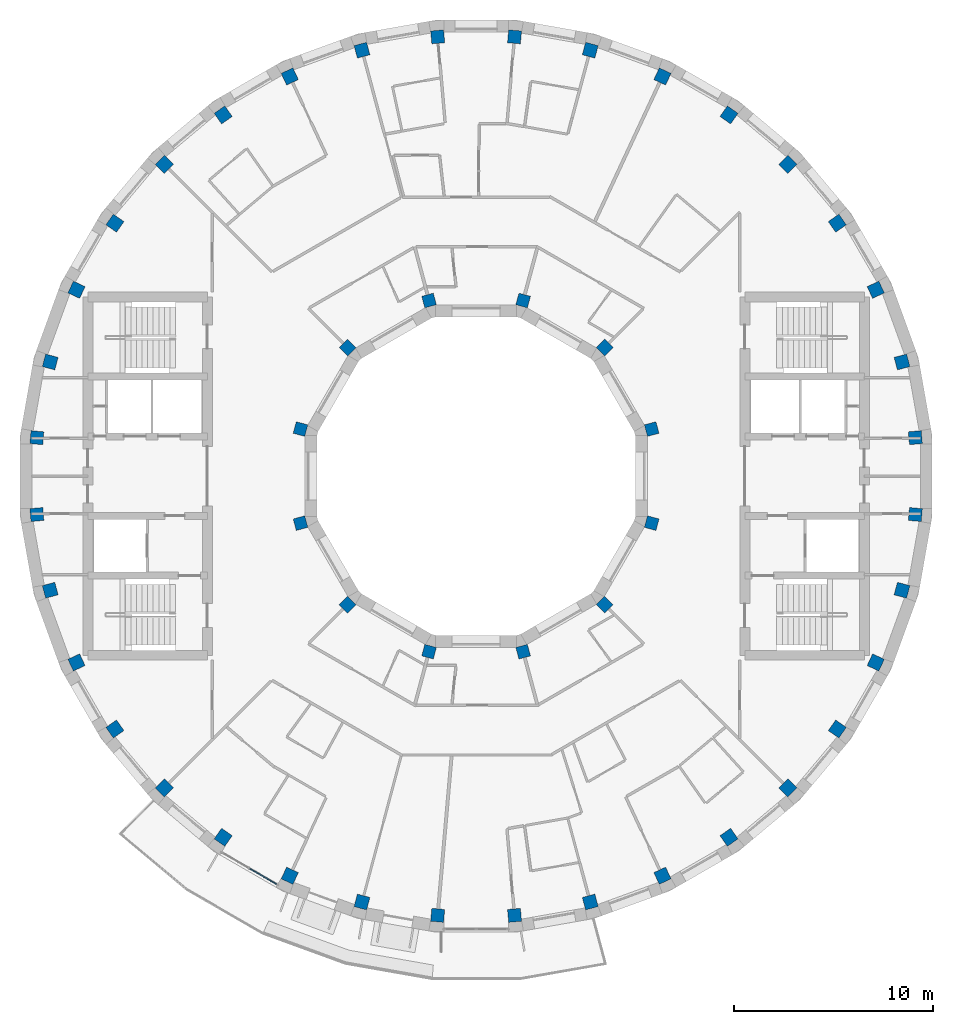
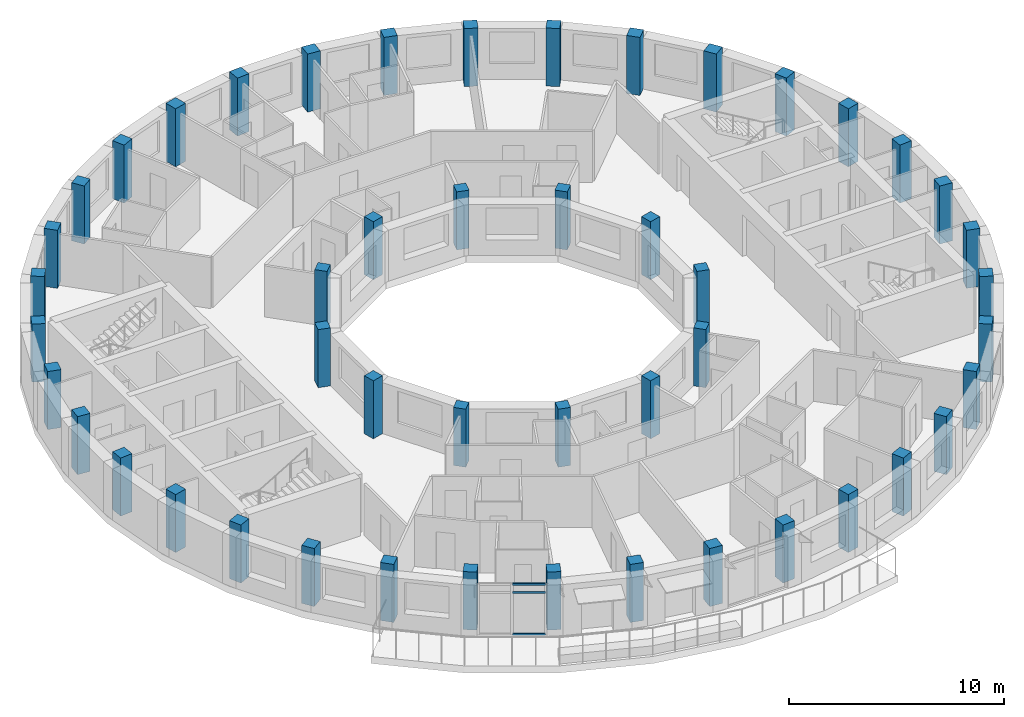
# One storey, part 1 of 12: 48 columns, 3 members, 1 element without a shape of its own.
"""IFC4 building model written with IfcOpenShell, lengths in metres."""

from ifc_helpers import new_model, si_unit, direction, frame, origin, origin_2d, place, context, subcontext, project, spatial, rectangle, extrude, material, layer, layer_set, material_profile, profile_set, type_object, element, aggregate, save


model = new_model("IFC4")

# Units and contexts
model_context = context("Model", 3, precision=1e-05, world=origin(), true_north=direction((0.0, 1.0)))
body_context = subcontext(model_context, "Body", "Model", "MODEL_VIEW")
ifc_project = project(units=[si_unit("LENGTHUNIT", "METRE"), si_unit("AREAUNIT", "SQUARE_METRE"), si_unit("VOLUMEUNIT", "CUBIC_METRE"), si_unit("PLANEANGLEUNIT", "RADIAN"), si_unit("MASSUNIT", "GRAM", prefix="KILO")], contexts=[model_context])

# Site, building, storey
site_placement = place(None, origin())
site = spatial("IfcSite", under=ifc_project, at=site_placement, CompositionType="ELEMENT")
building_placement = place(site_placement, origin())
building = spatial("IfcBuilding", under=site, at=building_placement, Name="Saqina Gate Tower", CompositionType="ELEMENT")
storey_placement = place(building_placement, frame((0.0, 0.0, 272.60009765625)))
storey = spatial("IfcBuildingStorey", under=building, at=storey_placement, Name="L78", CompositionType="ELEMENT", Elevation=272.60009765625)

# Columns
ifc_material_1 = material(Name="Concrete C60/75", Category="concrete")
ifc_material_profile_1 = material_profile(ifc_material_1, rectangle(XDim=0.60009765625, YDim=0.60009765625, at=origin_2d()), Name="RC 600x600")
ifc_profile_set_1 = profile_set([ifc_material_profile_1], Name="Concrete C60/75")
column_type_1 = type_object("IfcColumnType", Name="STR-COL-IN-D", PredefinedType="COLUMN", material=ifc_profile_set_1)
for number, where, z_axis, x_axis, name in (
    (1, (8.821044921875, 2.363525390625, 0.0), (0.0, 0.0, 1.0), (0.965925826289, 0.258819045103, 0.0), "L78-ICL01"),
    (2, (6.45751953125, 6.45751953125, 0.0), (0.0, 0.0, 1.0), (0.707106781187, 0.707106781187, 0.0), "L78-ICL02"),
    (3, (2.363525390625, 8.821044921875, 0.0), (0.0, 0.0, 1.0), (0.258819045103, 0.965925826289, 0.0), "L78-ICL03"),
    (4, (-2.363525390625, 8.821044921875, 0.0), (0.0, 0.0, 1.0), (-0.258819045103, 0.965925826289, 0.0), "L78-ICL04"),
    (5, (-6.45751953125, 6.45751953125, 0.0), (0.0, 0.0, 1.0), (-0.707106781187, 0.707106781187, 0.0), "L78-ICL05"),
    (6, (-8.821044921875, 2.363525390625, 0.0), (0.0, 0.0, 1.0), (-0.965925826289, 0.258819045103, 0.0), "L78-ICL06"),
    (7, (-8.821044921875, -2.363525390625, 0.0), (0.0, 0.0, 1.0), (-0.965925826289, -0.258819045103, 0.0), "L78-ICL07"),
    (8, (-6.45751953125, -6.45751953125, 0.0), (0.0, 0.0, 1.0), (-0.707106781187, -0.707106781187, 0.0), "L78-ICL08"),
    (9, (-2.363525390625, -8.821044921875, 0.0), (0.0, 0.0, 1.0), (-0.258819045103, -0.965925826289, 0.0), "L78-ICL09"),
    (10, (2.363525390625, -8.821044921875, 0.0), (0.0, 0.0, 1.0), (0.258819045103, -0.965925826289, 0.0), "L78-ICL10"),
    (11, (6.45751953125, -6.45751953125, 0.0), (0.0, 0.0, 1.0), (0.707106781187, -0.707106781187, 0.0), "L78-ICL11"),
    (12, (8.821044921875, -2.363525390625, 0.0), (0.0, 0.0, 1.0), (0.965925826289, -0.258819045103, 0.0), "L78-ICL12"),
):
    element("IfcColumn", number, at=place(storey_placement, frame(where, z_axis=z_axis, x_axis=x_axis)), inside=storey, type_object=column_type_1, Name=name, PredefinedType="COLUMN", context=body_context, shape_type="SweptSolid", body=[
        extrude(rectangle(XDim=0.60009765625, YDim=0.60009765625, at=origin_2d()), origin(), (0.0, 0.0, 1.0), 3.2998046875),
    ])
ifc_material_2 = material(Name="Concrete C60/75", Category="concrete")
ifc_material_profile_2 = material_profile(ifc_material_2, rectangle(XDim=0.64990234375, YDim=0.64990234375, at=origin_2d()), Name="RC 650x650")
ifc_profile_set_2 = profile_set([ifc_material_profile_2], Name="Concrete C60/75")
column_type_2 = type_object("IfcColumnType", Name="STR-COL-OUT-D", PredefinedType="COLUMN", material=ifc_profile_set_2)
for number, where, z_axis, x_axis, name in (
    (13, (22.065673828125, 1.930419921875, 0.0), (0.0, 0.0, 1.0), (0.996194698092, 0.087155742748, 0.0), "L78-COL01"),
    (14, (21.395263671875, 5.73291015625, 0.0), (0.0, 0.0, 1.0), (0.965925826289, 0.258819045103, 0.0), "L78-COL02"),
    (15, (20.07470703125, 9.361083984375, 0.0), (0.0, 0.0, 1.0), (0.906307787037, 0.422618261741, 0.0), "L78-COL03"),
    (16, (18.144287109375, 12.704833984375, 0.0), (0.0, 0.0, 1.0), (0.819152044289, 0.573576436351, 0.0), "L78-COL04"),
    (17, (15.662353515625, 15.662353515625, 0.0), (0.0, 0.0, 1.0), (0.707106781187, 0.707106781187, 0.0), "L78-COL05"),
    (18, (12.704833984375, 18.144287109375, 0.0), (0.0, 0.0, 1.0), (0.573576436351, 0.819152044289, 0.0), "L78-COL06"),
    (19, (9.361083984375, 20.07470703125, 0.0), (0.0, 0.0, 1.0), (0.422618261741, 0.906307787037, 0.0), "L78-COL07"),
    (20, (5.73291015625, 21.395263671875, 0.0), (0.0, 0.0, 1.0), (0.258819045103, 0.965925826289, 0.0), "L78-COL08"),
    (21, (1.930419921875, 22.065673828125, 0.0), (0.0, 0.0, 1.0), (0.087155742748, 0.996194698092, 0.0), "L78-COL09"),
    (22, (-1.930419921875, 22.065673828125, 0.0), (0.0, 0.0, 1.0), (-0.087155742748, 0.996194698092, 0.0), "L78-COL10"),
    (23, (-5.73291015625, 21.395263671875, 0.0), (0.0, 0.0, 1.0), (-0.258819045103, 0.965925826289, 0.0), "L78-COL11"),
    (24, (-9.361083984375, 20.07470703125, 0.0), (0.0, 0.0, 1.0), (-0.422618261741, 0.906307787037, 0.0), "L78-COL12"),
    (25, (-12.704833984375, 18.144287109375, 0.0), (0.0, 0.0, 1.0), (-0.573576436351, 0.819152044289, 0.0), "L78-COL13"),
    (26, (-15.662353515625, 15.662353515625, 0.0), (0.0, 0.0, 1.0), (-0.707106781187, 0.707106781187, 0.0), "L78-COL14"),
    (27, (-18.144287109375, 12.704833984375, 0.0), (0.0, 0.0, 1.0), (-0.819152044289, 0.573576436351, 0.0), "L78-COL15"),
    (28, (-20.07470703125, 9.361083984375, 0.0), (0.0, 0.0, 1.0), (-0.906307787037, 0.422618261741, 0.0), "L78-COL16"),
    (29, (-21.395263671875, 5.73291015625, 0.0), (0.0, 0.0, 1.0), (-0.965925826289, 0.258819045103, 0.0), "L78-COL17"),
    (30, (-22.065673828125, 1.930419921875, 0.0), (0.0, 0.0, 1.0), (-0.996194698092, 0.087155742748, 0.0), "L78-COL18"),
    (31, (-22.065673828125, -1.930419921875, 0.0), (0.0, 0.0, 1.0), (-0.996194698092, -0.087155742748, 0.0), "L78-COL19"),
    (32, (-21.395263671875, -5.73291015625, 0.0), (0.0, 0.0, 1.0), (-0.965925826289, -0.258819045103, 0.0), "L78-COL20"),
    (33, (-20.07470703125, -9.361083984375, 0.0), (0.0, 0.0, 1.0), (-0.906307787037, -0.422618261741, 0.0), "L78-COL21"),
    (34, (-18.144287109375, -12.704833984375, 0.0), (0.0, 0.0, 1.0), (-0.819152044289, -0.573576436351, 0.0), "L78-COL22"),
    (35, (-15.662353515625, -15.662353515625, 0.0), (0.0, 0.0, 1.0), (-0.707106781187, -0.707106781187, 0.0), "L78-COL23"),
    (36, (-12.704833984375, -18.144287109375, 0.0), (0.0, 0.0, 1.0), (-0.573576436351, -0.819152044289, 0.0), "L78-COL24"),
    (37, (-9.361083984375, -20.07470703125, 0.0), (0.0, 0.0, 1.0), (-0.422618261741, -0.906307787037, 0.0), "L78-COL25"),
    (38, (-5.73291015625, -21.395263671875, 0.0), (0.0, 0.0, 1.0), (-0.258819045103, -0.965925826289, 0.0), "L78-COL26"),
    (39, (-1.930419921875, -22.065673828125, 0.0), (0.0, 0.0, 1.0), (-0.087155742748, -0.996194698092, 0.0), "L78-COL27"),
    (40, (1.930419921875, -22.065673828125, 0.0), (0.0, 0.0, 1.0), (0.087155742748, -0.996194698092, 0.0), "L78-COL28"),
    (41, (5.73291015625, -21.395263671875, 0.0), (0.0, 0.0, 1.0), (0.258819045103, -0.965925826289, 0.0), "L78-COL29"),
    (42, (9.361083984375, -20.07470703125, 0.0), (0.0, 0.0, 1.0), (0.422618261741, -0.906307787037, 0.0), "L78-COL30"),
    (43, (12.704833984375, -18.144287109375, 0.0), (0.0, 0.0, 1.0), (0.573576436351, -0.819152044289, 0.0), "L78-COL31"),
    (44, (15.662353515625, -15.662353515625, 0.0), (0.0, 0.0, 1.0), (0.707106781187, -0.707106781187, 0.0), "L78-COL32"),
    (45, (18.144287109375, -12.704833984375, 0.0), (0.0, 0.0, 1.0), (0.819152044289, -0.573576436351, 0.0), "L78-COL33"),
    (46, (20.07470703125, -9.361083984375, 0.0), (0.0, 0.0, 1.0), (0.906307787037, -0.422618261741, 0.0), "L78-COL34"),
    (47, (21.395263671875, -5.73291015625, 0.0), (0.0, 0.0, 1.0), (0.965925826289, -0.258819045103, 0.0), "L78-COL35"),
    (48, (22.065673828125, -1.930419921875, 0.0), (0.0, 0.0, 1.0), (0.996194698092, -0.087155742748, 0.0), "L78-COL36"),
):
    element("IfcColumn", number, at=place(storey_placement, frame(where, z_axis=z_axis, x_axis=x_axis)), inside=storey, type_object=column_type_2, Name=name, PredefinedType="COLUMN", context=body_context, shape_type="SweptSolid", body=[
        extrude(rectangle(XDim=0.64990234375, YDim=0.64990234375, at=origin_2d()), origin(), (0.0, 0.0, 1.0), 3.2998046875),
    ])

# Curtain wall, members
ifc_material_3 = material(Name="Aluminium glazing", Category="aluminium")
ifc_layer = layer(ifc_material_3, 0.159912109375)
ifc_layer_set = layer_set([ifc_layer], Name="CWT-4")
curtain_wall_type = type_object("IfcCurtainWallType", Name="CWT-4", PredefinedType="NOTDEFINED", material=ifc_layer_set)
curtain_wall_placement = place(storey_placement, origin())
curtain_wall = element("IfcCurtainWall", 49, at=curtain_wall_placement, inside=storey, type_object=curtain_wall_type, Name="Terrace lounge glazing facet 24", PredefinedType="NOTDEFINED")
ifc_material_4 = material(Name="Aluminium", Category="aluminium")
ifc_material_profile_3 = material_profile(ifc_material_4, rectangle(XDim=0.06005859375, YDim=0.1201171875, at=origin_2d()), Name="Aluminium 60x120")
ifc_profile_set_3 = profile_set([ifc_material_profile_3], Name="Aluminium")
member_type = type_object("IfcMemberType", Name="CWT-4T", PredefinedType="USERDEFINED", material=ifc_profile_set_3)
member_1_placement = place(storey_placement, frame((-11.355224609375, -19.727783203125, 0.02978515625), z_axis=(0.865984396932, -0.500071019227, 0.0), x_axis=(0.500071019227, 0.865984396932, 0.0)))
member_1 = element("IfcMember", 50, at=member_1_placement, type_object=member_type, Name="CW4-24 transom 2.1", ObjectType="TRANSOM", PredefinedType="USERDEFINED", context=body_context, shape_type="SweptSolid", body=[
    extrude(rectangle(XDim=0.06005859375, YDim=0.1201171875, at=origin_2d()), origin(), (0.0, 0.0, 1.0), 1.535888671875),
])
member_2_placement = place(storey_placement, frame((-11.355224609375, -19.727783203125, 2.39990234375), z_axis=(0.865984396932, -0.500071019227, 0.0), x_axis=(0.500071019227, 0.865984396932, 0.0)))
member_2 = element("IfcMember", 51, at=member_2_placement, type_object=member_type, Name="CW4-24 transom 2.2", ObjectType="TRANSOM", PredefinedType="USERDEFINED", context=body_context, shape_type="SweptSolid", body=[
    extrude(rectangle(XDim=0.06005859375, YDim=0.1201171875, at=origin_2d()), origin(), (0.0, 0.0, 1.0), 1.535888671875),
])
member_3_placement = place(storey_placement, frame((-11.355224609375, -19.727783203125, 2.869873046875), z_axis=(0.865984396932, -0.500071019227, 0.0), x_axis=(0.500071019227, 0.865984396932, 0.0)))
member_3 = element("IfcMember", 52, at=member_3_placement, type_object=member_type, Name="CW4-24 transom 2.3", ObjectType="TRANSOM", PredefinedType="USERDEFINED", context=body_context, shape_type="SweptSolid", body=[
    extrude(rectangle(XDim=0.06005859375, YDim=0.1201171875, at=origin_2d()), origin(), (0.0, 0.0, 1.0), 1.535888671875),
])
aggregate(curtain_wall, [member_1, member_2, member_3])

save(model, "model.ifc")
